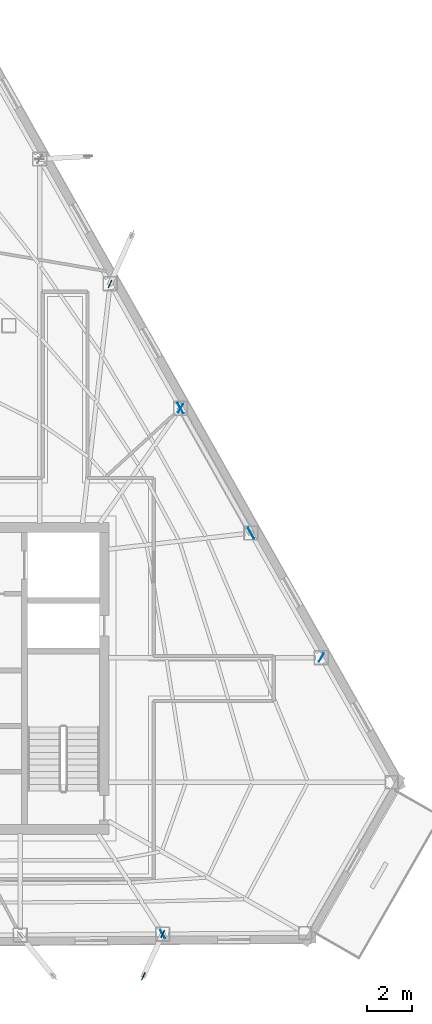
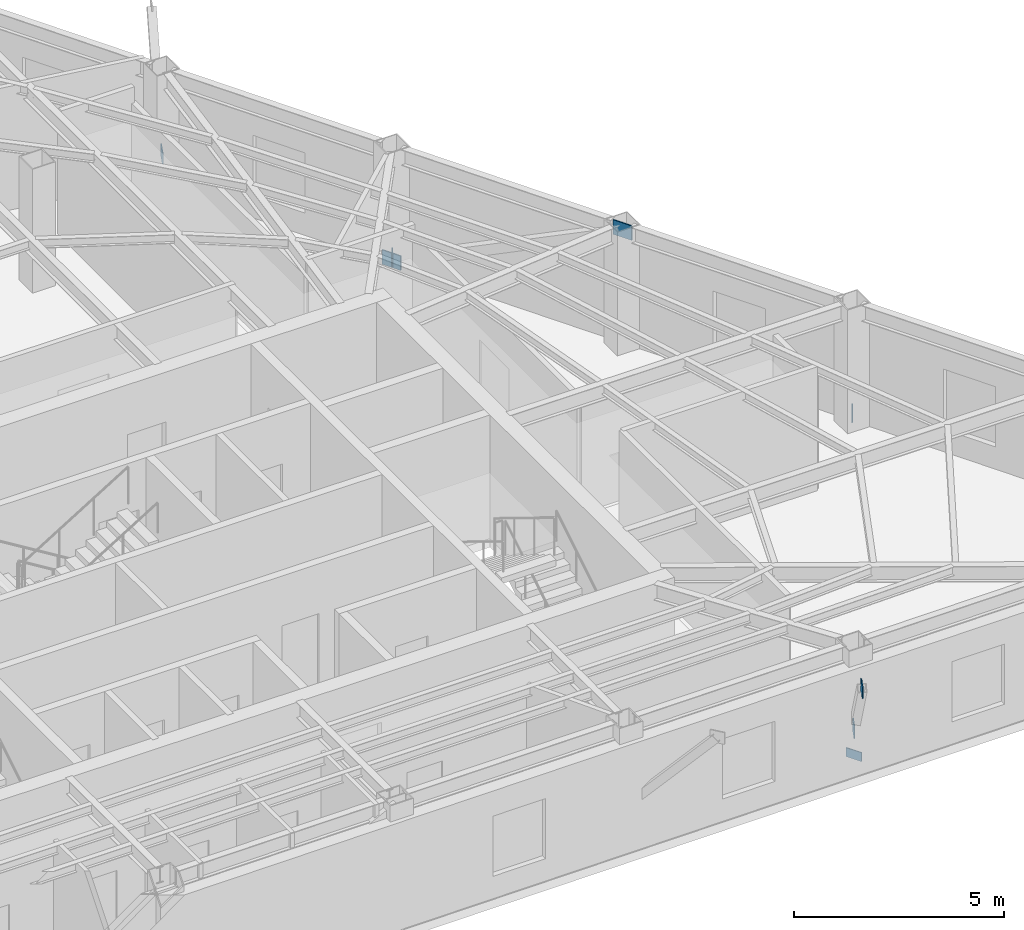
# One storey, part 6 of 12: 8 plates.
"""IFC4 building model written with IfcOpenShell, lengths in metres."""

from ifc_helpers import new_model, si_unit, direction, frame, origin, origin_2d, place, context, subcontext, project, spatial, rectangle, extrude, material, layer, layer_set, type_object, element, save


model = new_model("IFC4")

# Units and contexts
model_context = context("Model", 3, precision=1e-05, world=origin(), true_north=direction((0.0, 1.0)))
body_context = subcontext(model_context, "Body", "Model", "MODEL_VIEW")
ifc_project = project(units=[si_unit("LENGTHUNIT", "METRE"), si_unit("AREAUNIT", "SQUARE_METRE"), si_unit("VOLUMEUNIT", "CUBIC_METRE"), si_unit("PLANEANGLEUNIT", "RADIAN"), si_unit("MASSUNIT", "GRAM", prefix="KILO")], contexts=[model_context])

# Site, building, storey
site_placement = place(None, origin())
site = spatial("IfcSite", under=ifc_project, at=site_placement, CompositionType="ELEMENT")
building_placement = place(site_placement, origin())
building = spatial("IfcBuilding", under=site, at=building_placement, Name="Kavelnor Concourse Tower", CompositionType="ELEMENT")
storey_placement = place(building_placement, frame((0.0, 0.0, 226.60009765625)))
storey = spatial("IfcBuildingStorey", under=building, at=storey_placement, Name="L57", CompositionType="ELEMENT", Elevation=226.60009765625)

# Plates
ifc_material = material(Name="Steel Grade 350", Category="steel")
ifc_layer_1 = layer(ifc_material, 0.028076171875, Name="Steel Grade 350")
ifc_layer_set_1 = layer_set([ifc_layer_1], Name="Steel Grade 350")
plate_type_1 = type_object("IfcPlateType", Name="PL-GUSSET-FOLD", PredefinedType="USERDEFINED", material=ifc_layer_set_1)
for number, where, z_axis, x_axis, name in (
    (1, (50.34375, 4.739013671875, 0.8798828125), (0.0, 0.0, 1.0), (-0.416122094283, -0.909308749903, 0.0), "L57 Balcony Strut Gusset GP4 1-B End Gusset A"),
    (2, (49.4814453125, 2.854736328125, 3.48486328125), (0.0, 0.0, 1.0), (-0.416122094283, -0.909308749903, 0.0), "L57 Balcony Strut Gusset GP4 1-B End Gusset B"),
    (3, (47.998779296875, 33.654541015625, 0.8798828125), (0.0, 0.0, 1.0), (0.406896080641, 0.913474454793, 0.0), "L57 Balcony Strut Gusset GP4 2-A End Gusset A"),
):
    element("IfcPlate", number, at=place(storey_placement, frame(where, z_axis=z_axis, x_axis=x_axis)), inside=storey, type_object=plate_type_1, Name=name, ObjectType="GUSSET_PLATE", PredefinedType="USERDEFINED", context=body_context, shape_type="SweptSolid", body=[
        extrude(rectangle(XDim=0.360107421875, YDim=0.028076171875, at=origin_2d()), origin(), (0.0, 0.0, 1.0), 0.340087890625),
    ])
ifc_layer_2 = layer(ifc_material, 0.031982421875, Name="Steel Grade 350")
ifc_layer_set_2 = layer_set([ifc_layer_2], Name="Steel Grade 350")
plate_type_2 = type_object("IfcPlateType", Name="PL-GUSSET-TUBE-Z1", PredefinedType="USERDEFINED", material=ifc_layer_set_2)
for number, where, z_axis, x_axis, name in (
    (4, (51.128662109375, 28.129638671875, 0.010009765625), (0.0, 0.0, 1.0), (0.491511855915, -0.870870883366, 0.0), "L57 Tube Brace Gusset GP3 F2-B2 End Gusset A"),
    (5, (54.271240234375, 22.56201171875, 3.159912109375), (0.0, 0.0, 1.0), (0.491511855915, -0.870870883366, 0.0), "L57 Tube Brace Gusset GP3 F2-B2 End Gusset B"),
):
    element("IfcPlate", number, at=place(storey_placement, frame(where, z_axis=z_axis, x_axis=x_axis)), inside=storey, type_object=plate_type_2, Name=name, ObjectType="GUSSET_PLATE", PredefinedType="USERDEFINED", context=body_context, shape_type="SweptSolid", body=[
        extrude(rectangle(XDim=0.52001953125, YDim=0.031982421875, at=origin_2d()), origin(), (0.0, 0.0, 1.0), 0.419921875),
    ])
ifc_layer_3 = layer(ifc_material, 0.02490234375, Name="Steel Grade 350")
ifc_layer_set_3 = layer_set([ifc_layer_3], Name="Steel Grade 350")
plate_type_3 = type_object("IfcPlateType", Name="PL-SPLICE-FLANGE", PredefinedType="SHEET", material=ifc_layer_set_3)
for number, where, z_axis, x_axis, name in (
    (6, (50.3388671875, 4.72802734375, 0.169921875), (0.0, 0.0, 1.0), (-0.5, 0.866025403784, 0.0), "L57 Column Flange Splice Plate F1-B5"),
    (7, (57.396240234375, 17.02587890625, 0.169921875), (0.0, 0.0, 1.0), (-0.5, -0.866025403784, 0.0), "L57 Column Flange Splice Plate F2-B1"),
    (8, (51.134521484375, 28.119140625, 0.169921875), (0.0, 0.0, 1.0), (-0.5, -0.866025403784, 0.0), "L57 Column Flange Splice Plate F2-B3"),
):
    element("IfcPlate", number, at=place(storey_placement, frame(where, z_axis=z_axis, x_axis=x_axis)), inside=storey, type_object=plate_type_3, Name=name, PredefinedType="SHEET", context=body_context, shape_type="SweptSolid", body=[
        extrude(rectangle(XDim=0.419921875, YDim=0.02490234375, at=origin_2d()), origin(), (0.0, 0.0, 1.0), 0.260009765625),
    ])

save(model, "model.ifc")
